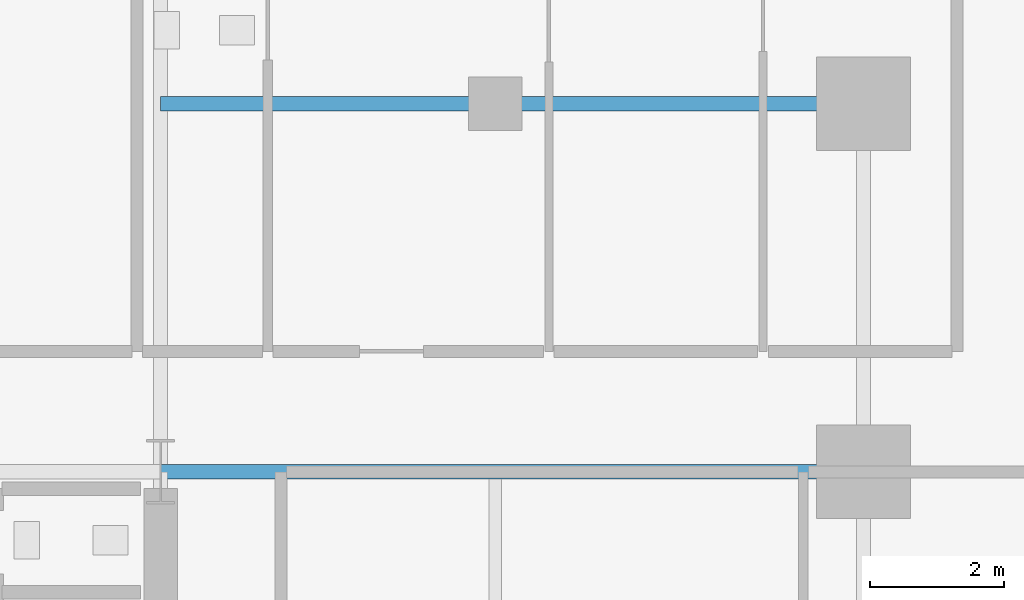
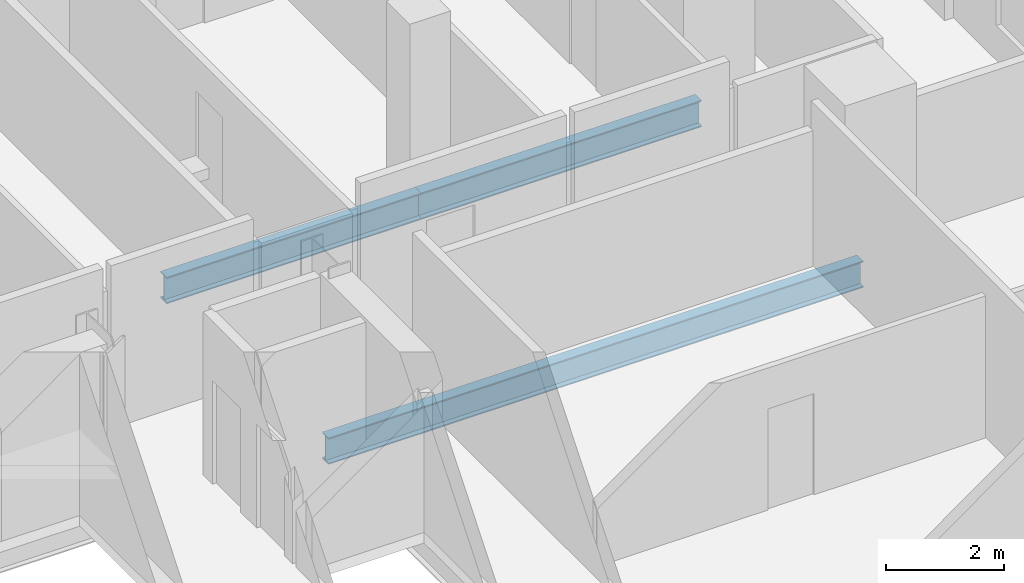
# One storey, part 18 of 28: 3 beams.
"""IFC4 building model written with IfcOpenShell, lengths in metres."""

from ifc_helpers import new_model, si_unit, direction, frame, origin, origin_2d, place, context, subcontext, project, spatial, i_section, extrude, material, material_profile, profile_set, type_object, element, save


model = new_model("IFC4")

# Units and contexts
model_context = context("Model", 3, precision=1e-05, world=origin(), true_north=direction((0.0, 1.0)))
body_context = subcontext(model_context, "Body", "Model", "MODEL_VIEW")
ifc_project = project(units=[si_unit("LENGTHUNIT", "METRE"), si_unit("AREAUNIT", "SQUARE_METRE"), si_unit("VOLUMEUNIT", "CUBIC_METRE"), si_unit("PLANEANGLEUNIT", "RADIAN"), si_unit("MASSUNIT", "GRAM", prefix="KILO")], contexts=[model_context])

# Site, building, storey
site_placement = place(None, origin())
site = spatial("IfcSite", under=ifc_project, at=site_placement, CompositionType="ELEMENT")
building_placement = place(site_placement, origin())
building = spatial("IfcBuilding", under=site, at=building_placement, Name="Barlavira Tower and Art Museum", CompositionType="ELEMENT")
storey_placement = place(building_placement, frame((0.0, 0.0, 39.60009765625)))
storey = spatial("IfcBuildingStorey", under=building, at=storey_placement, Name="L08", CompositionType="ELEMENT", Elevation=39.60009765625)

# Beams
ifc_material = material(Name="Steel S355", Category="steel")
ifc_material_profile = material_profile(ifc_material, i_section(OverallWidth=0.214111328125, OverallDepth=0.549072265625, WebThickness=0.0146484375, FlangeThickness=0.023681640625, at=origin_2d()), Name="W530x138.0")
ifc_profile_set = profile_set([ifc_material_profile], Name="Steel S355")
beam_type = type_object("IfcBeamType", Name="Zone 1 Primary Floor Girder W530x138 Steel S355", PredefinedType="BEAM", material=ifc_profile_set)
beam_1_placement = place(storey_placement, frame((6.5, 7.5, -0.49462890625), z_axis=(1.0, 0.0, 0.0), x_axis=(0.0, 1.0, 0.0)))
element("IfcBeam", 1, at=beam_1_placement, inside=storey, type_object=beam_type, Name="L08 Girder R-E2", PredefinedType="BEAM", context=body_context, shape_type="SweptSolid", body=[
    extrude(i_section(OverallWidth=0.214111328125, OverallDepth=0.549072265625, WebThickness=0.0146484375, FlangeThickness=0.023681640625, at=origin_2d()), origin(), (0.0, 0.0, 1.0), 10.5),
])
beam_2_placement = place(storey_placement, frame((6.5, 13.0, -0.49462890625), z_axis=(1.0, 0.0, 0.0), x_axis=(0.0, 1.0, 0.0)))
element("IfcBeam", 2, at=beam_2_placement, inside=storey, type_object=beam_type, Name="L08 Girder I-N3", PredefinedType="BEAM", context=body_context, shape_type="SweptSolid", body=[
    extrude(i_section(OverallWidth=0.214111328125, OverallDepth=0.549072265625, WebThickness=0.0146484375, FlangeThickness=0.023681640625, at=origin_2d()), origin(), (0.0, 0.0, 1.0), 5.0),
])
beam_3_placement = place(storey_placement, frame((11.5, 13.0, -0.49462890625), z_axis=(1.0, 0.0, 0.0), x_axis=(0.0, 1.0, 0.0)))
element("IfcBeam", 3, at=beam_3_placement, inside=storey, type_object=beam_type, Name="L08 Girder I-N4", PredefinedType="BEAM", context=body_context, shape_type="SweptSolid", body=[
    extrude(i_section(OverallWidth=0.214111328125, OverallDepth=0.549072265625, WebThickness=0.0146484375, FlangeThickness=0.023681640625, at=origin_2d()), origin(), (0.0, 0.0, 1.0), 5.5),
])

save(model, "model.ifc")
